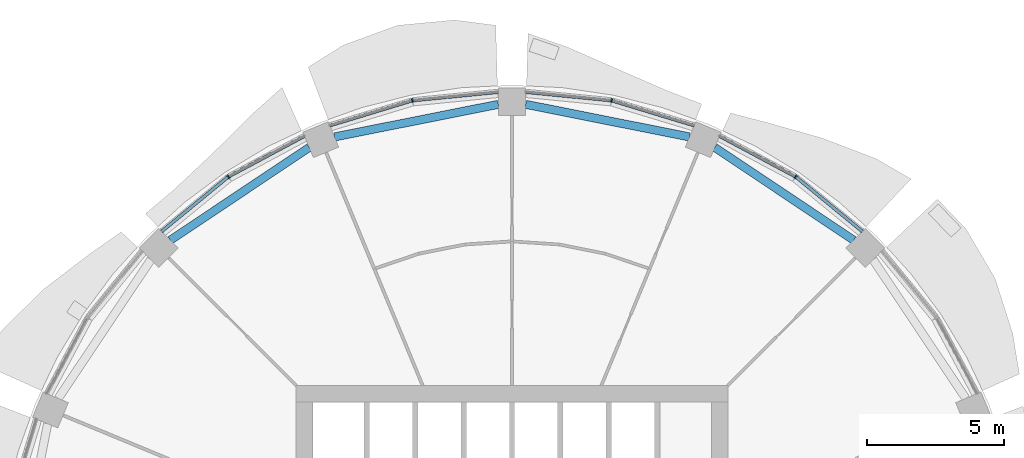
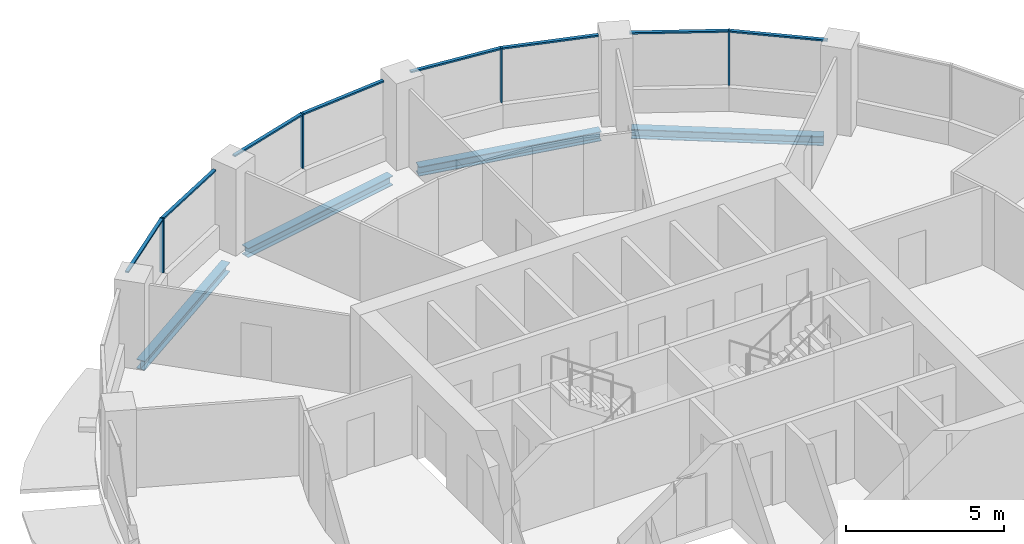
# One storey, part 6 of 15: 12 members, 4 beams, 4 elements without a shape of their own.
"""IFC4 building model written with IfcOpenShell, lengths in metres."""

from ifc_helpers import new_model, si_unit, direction, frame, origin, origin_2d, place, context, subcontext, project, spatial, rectangle, i_section, extrude, material, material_profile, profile_set, type_object, element, aggregate, save


model = new_model("IFC4")

# Units and contexts
model_context = context("Model", 3, precision=1e-05, world=origin(), true_north=direction((0.0, 1.0)))
body_context = subcontext(model_context, "Body", "Model", "MODEL_VIEW")
ifc_project = project(units=[si_unit("LENGTHUNIT", "METRE"), si_unit("AREAUNIT", "SQUARE_METRE"), si_unit("VOLUMEUNIT", "CUBIC_METRE"), si_unit("PLANEANGLEUNIT", "RADIAN"), si_unit("MASSUNIT", "GRAM", prefix="KILO")], contexts=[model_context])

# Site, building, storey
site_placement = place(None, origin())
site = spatial("IfcSite", under=ifc_project, at=site_placement, CompositionType="ELEMENT")
building_placement = place(site_placement, origin())
building = spatial("IfcBuilding", under=site, at=building_placement, Name="Polderwave Tower", CompositionType="ELEMENT")
storey_placement = place(building_placement, frame((0.0, 0.0, 154.449951171875)))
storey = spatial("IfcBuildingStorey", under=building, at=storey_placement, Name="L41", CompositionType="ELEMENT", Elevation=154.449951171875)

# Curtain wall, member
ifc_material_1 = material(Name="Aluminium 6063-T6 and glass", Category="aluminium")
curtain_wall_type = type_object("IfcCurtainWallType", Name="Office ribbon glazing wall", PredefinedType="NOTDEFINED", material=ifc_material_1)
curtain_wall_1_placement = place(storey_placement, origin())
curtain_wall_1 = element("IfcCurtainWall", 1, at=curtain_wall_1_placement, inside=storey, type_object=curtain_wall_type, Name="CW3 L41 02", PredefinedType="NOTDEFINED")
ifc_material_2 = material(Name="Aluminium 6063-T6", Category="aluminium")
ifc_material_profile_1 = material_profile(ifc_material_2, rectangle(XDim=0.139892578125, YDim=0.054931640625, at=origin_2d()), Name="AL 55x140")
ifc_profile_set_1 = profile_set([ifc_material_profile_1], Name="Aluminium 6063-T6")
member_type_1 = type_object("IfcMemberType", Name="Office ribbon glazing mullion 55x140", PredefinedType="MULLION", material=ifc_profile_set_1)
member_1_placement = place(storey_placement, frame((10.35009765625, 15.489990234375, 0.900146484375), z_axis=(0.0, 0.0, 1.0), x_axis=(-0.555548465006, -0.831484156812, 0.0)))
member_1 = element("IfcMember", 2, at=member_1_placement, type_object=member_type_1, Name="CW3 mullion 1", PredefinedType="MULLION", context=body_context, shape_type="SweptSolid", body=[
    extrude(rectangle(XDim=0.139892578125, YDim=0.054931640625, at=origin_2d()), origin(), (0.0, 0.0, 1.0), 2.099853515625),
])

curtain_wall_2_placement = place(storey_placement, origin())
curtain_wall_2 = element("IfcCurtainWall", 3, at=curtain_wall_2_placement, inside=storey, type_object=curtain_wall_type, Name="CW3 L41 03", PredefinedType="NOTDEFINED")
member_2_placement = place(storey_placement, frame((3.635009765625, 18.27197265625, 0.900146484375), z_axis=(0.0, 0.0, 1.0), x_axis=(-0.195083474838, -0.980786642367, 0.0)))
member_2 = element("IfcMember", 4, at=member_2_placement, type_object=member_type_1, Name="CW3 mullion 1", PredefinedType="MULLION", context=body_context, shape_type="SweptSolid", body=[
    extrude(rectangle(XDim=0.139892578125, YDim=0.054931640625, at=origin_2d()), origin(), (0.0, 0.0, 1.0), 2.099853515625),
])

curtain_wall_3_placement = place(storey_placement, origin())
curtain_wall_3 = element("IfcCurtainWall", 5, at=curtain_wall_3_placement, inside=storey, type_object=curtain_wall_type, Name="CW3 L41 04", PredefinedType="NOTDEFINED")
member_3_placement = place(storey_placement, frame((-3.635009765625, 18.27197265625, 0.900146484375), z_axis=(0.0, 0.0, 1.0), x_axis=(0.195083474838, -0.980786642367, 0.0)))
member_3 = element("IfcMember", 6, at=member_3_placement, type_object=member_type_1, Name="CW3 mullion 1", PredefinedType="MULLION", context=body_context, shape_type="SweptSolid", body=[
    extrude(rectangle(XDim=0.139892578125, YDim=0.054931640625, at=origin_2d()), origin(), (0.0, 0.0, 1.0), 2.099853515625),
])

curtain_wall_4_placement = place(storey_placement, origin())
curtain_wall_4 = element("IfcCurtainWall", 7, at=curtain_wall_4_placement, inside=storey, type_object=curtain_wall_type, Name="CW3 L41 05", PredefinedType="NOTDEFINED")
member_4_placement = place(storey_placement, frame((-10.35009765625, 15.489990234375, 0.900146484375), z_axis=(0.0, 0.0, 1.0), x_axis=(0.555548465006, -0.831484156812, 0.0)))
member_4 = element("IfcMember", 8, at=member_4_placement, type_object=member_type_1, Name="CW3 mullion 1", PredefinedType="MULLION", context=body_context, shape_type="SweptSolid", body=[
    extrude(rectangle(XDim=0.139892578125, YDim=0.054931640625, at=origin_2d()), origin(), (0.0, 0.0, 1.0), 2.099853515625),
])

# Member
ifc_material_profile_2 = material_profile(ifc_material_2, rectangle(XDim=0.1201171875, YDim=0.06005859375, at=origin_2d()), Name="AL 60x120")
ifc_profile_set_2 = profile_set([ifc_material_profile_2], Name="Aluminium 6063-T6")
member_type_2 = type_object("IfcMemberType", Name="Office ribbon glazing transom 60x120", PredefinedType="USERDEFINED", material=ifc_profile_set_2)
member_5_placement = place(storey_placement, frame((12.784912109375, 13.491943359375, 2.969970703125), z_axis=(-0.773019292913, 0.634382512988, 0.0), x_axis=(-0.634382512988, -0.773019292913, 0.0)))
member_5 = element("IfcMember", 9, at=member_5_placement, type_object=member_type_2, Name="CW3 transom 1", ObjectType="TRANSOM", PredefinedType="USERDEFINED", context=body_context, shape_type="SweptSolid", body=[
    extrude(rectangle(XDim=0.1201171875, YDim=0.06005859375, at=origin_2d()), origin(), (0.0, 0.0, 1.0), 3.122314453125),
])

member_6_placement = place(storey_placement, frame((10.32568359375, 15.5029296875, 2.969970703125), z_axis=(-0.881880665153, 0.471472684712, 0.0), x_axis=(-0.471472684712, -0.881880665153, 0.0)))
member_6 = element("IfcMember", 10, at=member_6_placement, type_object=member_type_2, Name="CW3 transom 2", ObjectType="TRANSOM", PredefinedType="USERDEFINED", context=body_context, shape_type="SweptSolid", body=[
    extrude(rectangle(XDim=0.1201171875, YDim=0.06005859375, at=origin_2d()), origin(), (0.0, 0.0, 1.0), 3.12255859375),
])

aggregate(curtain_wall_1, [member_1, member_5, member_6])

member_7_placement = place(storey_placement, frame((6.64892578125, 17.35791015625, 2.969970703125), z_axis=(-0.956963215555, 0.290209241883, 0.0), x_axis=(-0.290209241883, -0.956963215555, 0.0)))
member_7 = element("IfcMember", 11, at=member_7_placement, type_object=member_type_2, Name="CW3 transom 1", ObjectType="TRANSOM", PredefinedType="USERDEFINED", context=body_context, shape_type="SweptSolid", body=[
    extrude(rectangle(XDim=0.1201171875, YDim=0.06005859375, at=origin_2d()), origin(), (0.0, 0.0, 1.0), 3.121826171875),
])

member_8_placement = place(storey_placement, frame((3.607666015625, 18.274658203125, 2.969970703125), z_axis=(-0.995174785119, 0.098118026186, 0.0), x_axis=(-0.098118026186, -0.995174785119, 0.0)))
member_8 = element("IfcMember", 12, at=member_8_placement, type_object=member_type_2, Name="CW3 transom 2", ObjectType="TRANSOM", PredefinedType="USERDEFINED", context=body_context, shape_type="SweptSolid", body=[
    extrude(rectangle(XDim=0.1201171875, YDim=0.06005859375, at=origin_2d()), origin(), (0.0, 0.0, 1.0), 3.122802734375),
])

aggregate(curtain_wall_2, [member_2, member_7, member_8])

member_9_placement = place(storey_placement, frame((-0.5, 18.5810546875, 2.969970703125), z_axis=(-0.995174785119, -0.098118026186, 0.0), x_axis=(0.098118026186, -0.995174785119, 0.0)))
member_9 = element("IfcMember", 13, at=member_9_placement, type_object=member_type_2, Name="CW3 transom 1", ObjectType="TRANSOM", PredefinedType="USERDEFINED", context=body_context, shape_type="SweptSolid", body=[
    extrude(rectangle(XDim=0.1201171875, YDim=0.06005859375, at=origin_2d()), origin(), (0.0, 0.0, 1.0), 3.122802734375),
])

member_10_placement = place(storey_placement, frame((-3.661376953125, 18.263916015625, 2.969970703125), z_axis=(-0.956963215555, -0.290209241883, 0.0), x_axis=(0.290209241883, -0.956963215555, 0.0)))
member_10 = element("IfcMember", 14, at=member_10_placement, type_object=member_type_2, Name="CW3 transom 2", ObjectType="TRANSOM", PredefinedType="USERDEFINED", context=body_context, shape_type="SweptSolid", body=[
    extrude(rectangle(XDim=0.1201171875, YDim=0.06005859375, at=origin_2d()), origin(), (0.0, 0.0, 1.0), 3.121826171875),
])

aggregate(curtain_wall_3, [member_3, member_9, member_10])

member_11_placement = place(storey_placement, frame((-7.572021484375, 16.97509765625, 2.969970703125), z_axis=(-0.881880665153, -0.471472684712, 0.0), x_axis=(0.471472684712, -0.881880665153, 0.0)))
member_11 = element("IfcMember", 15, at=member_11_placement, type_object=member_type_2, Name="CW3 transom 1", ObjectType="TRANSOM", PredefinedType="USERDEFINED", context=body_context, shape_type="SweptSolid", body=[
    extrude(rectangle(XDim=0.1201171875, YDim=0.06005859375, at=origin_2d()), origin(), (0.0, 0.0, 1.0), 3.12255859375),
])

member_12_placement = place(storey_placement, frame((-10.371337890625, 15.47265625, 2.969970703125), z_axis=(-0.773019292913, -0.634382512988, 0.0), x_axis=(0.634382512988, -0.773019292913, 0.0)))
member_12 = element("IfcMember", 16, at=member_12_placement, type_object=member_type_2, Name="CW3 transom 2", ObjectType="TRANSOM", PredefinedType="USERDEFINED", context=body_context, shape_type="SweptSolid", body=[
    extrude(rectangle(XDim=0.1201171875, YDim=0.06005859375, at=origin_2d()), origin(), (0.0, 0.0, 1.0), 3.122314453125),
])

aggregate(curtain_wall_4, [member_4, member_11, member_12])

# Beams
ifc_material_3 = material(Name="Steel S355", Category="steel")
ifc_material_profile_3 = material_profile(ifc_material_3, i_section(OverallWidth=0.300048828125, OverallDepth=0.360107421875, WebThickness=0.012451171875, FlangeThickness=0.0224609375, at=origin_2d()), Name="HE 360 B")
ifc_profile_set_3 = profile_set([ifc_material_profile_3], Name="Steel S355")
beam_type = type_object("IfcBeamType", Name="RING BEAM HE 360 B", PredefinedType="BEAM", material=ifc_profile_set_3)
for number, where, z_axis, x_axis, name in (
    (17, (12.466796875, 13.173828125, -0.530029296875), (-0.831482776251, 0.555550531273, 0.0), (-0.555550531273, -0.831482776251, 0.0), "ST-RB-L41-02"),
    (18, (6.476318359375, 16.94189453125, -0.530029296875), (-0.980786628445, 0.19508354483, 0.0), (-0.19508354483, -0.980786628445, 0.0), "ST-RB-L41-03"),
    (19, (-0.5, 18.130615234375, -0.530029296875), (-0.980786628445, -0.19508354483, 0.0), (0.19508354483, -0.980786628445, 0.0), "ST-RB-L41-04"),
    (20, (-7.400146484375, 16.55908203125, -0.530029296875), (-0.831482776251, -0.555550531273, 0.0), (0.555550531273, -0.831482776251, 0.0), "ST-RB-L41-05"),
):
    element("IfcBeam", number, at=place(storey_placement, frame(where, z_axis=z_axis, x_axis=x_axis)), inside=storey, type_object=beam_type, Name=name, PredefinedType="BEAM", context=body_context, shape_type="SweptSolid", body=[
        extrude(i_section(OverallWidth=0.300048828125, OverallDepth=0.360107421875, WebThickness=0.012451171875, FlangeThickness=0.0224609375, at=origin_2d()), origin(), (0.0, 0.0, 1.0), 6.093505859375),
    ])

save(model, "model.ifc")
